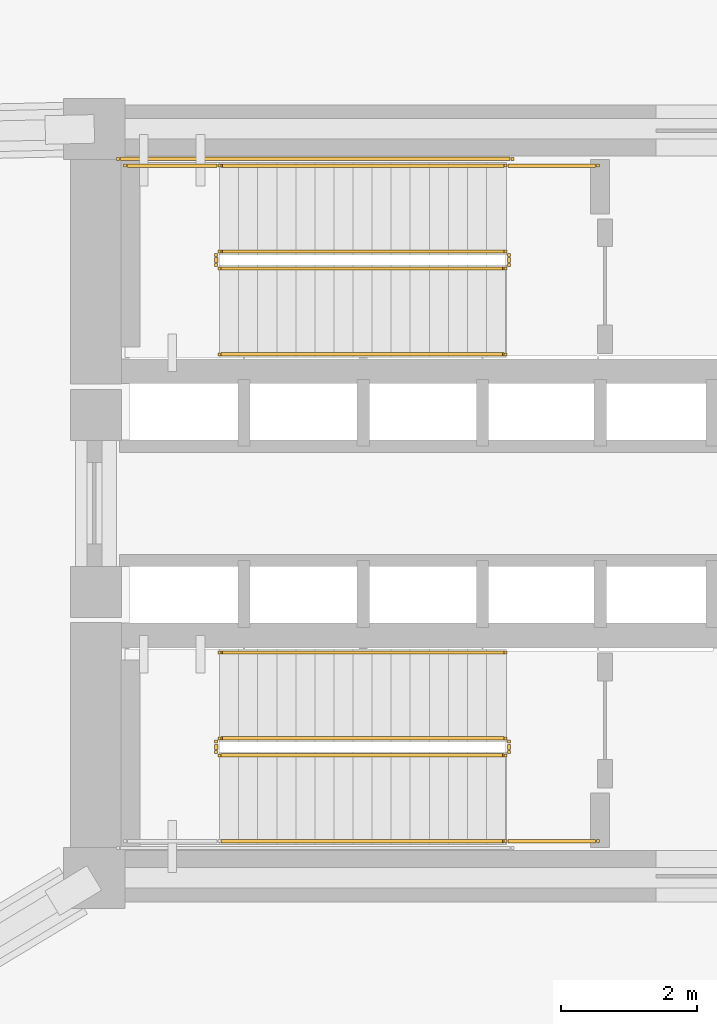
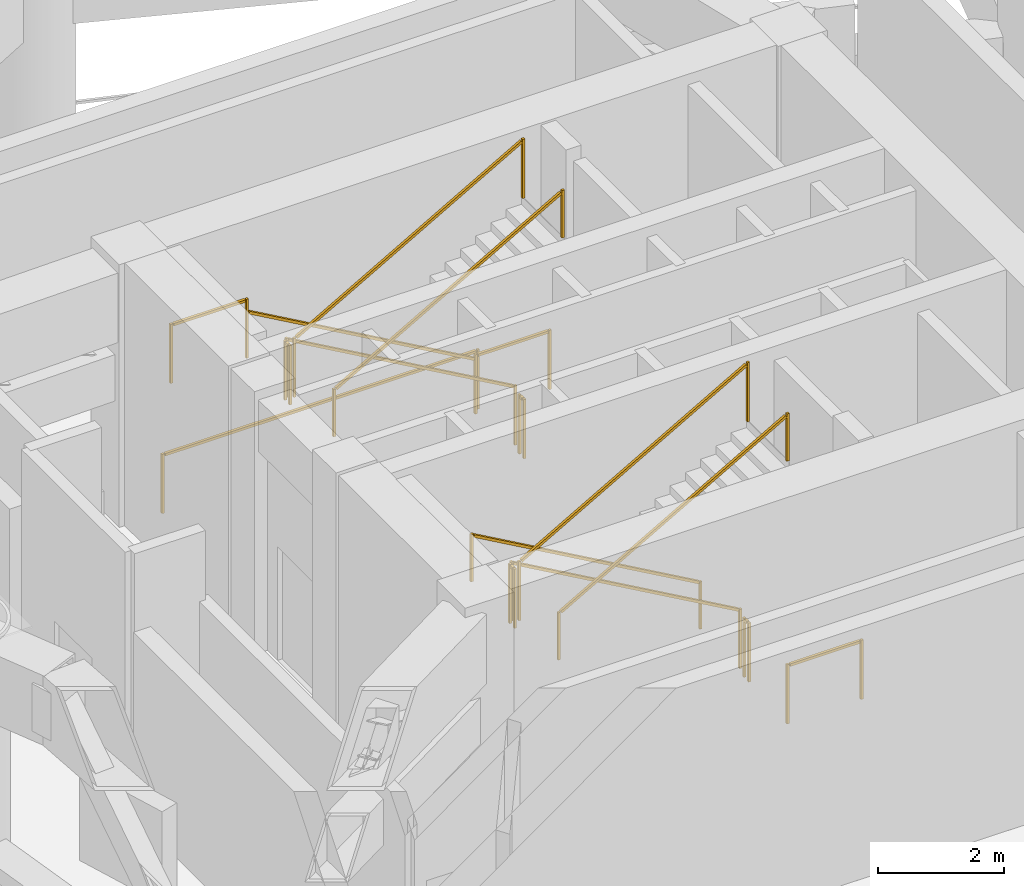
# One storey, part 7 of 8: 16 railings.
"""IFC4 building model written with IfcOpenShell, lengths in metres."""

from ifc_helpers import new_model, si_unit, direction, frame, origin, origin_2d, place, context, subcontext, project, spatial, rectangle, extrude, material, type_object, element, save


model = new_model("IFC4")

# Units and contexts
model_context = context("Model", 3, precision=1e-05, world=origin(), true_north=direction((0.0, 1.0)))
body_context = subcontext(model_context, "Body", "Model", "MODEL_VIEW")
ifc_project = project(units=[si_unit("LENGTHUNIT", "METRE"), si_unit("AREAUNIT", "SQUARE_METRE"), si_unit("VOLUMEUNIT", "CUBIC_METRE"), si_unit("PLANEANGLEUNIT", "RADIAN"), si_unit("MASSUNIT", "GRAM", prefix="KILO")], contexts=[model_context])

# Site, building, storey
site_placement = place(None, origin())
site = spatial("IfcSite", under=ifc_project, at=site_placement, CompositionType="ELEMENT")
building_placement = place(site_placement, origin())
building = spatial("IfcBuilding", under=site, at=building_placement, Name="Yunling Apex Tower", CompositionType="ELEMENT")
storey_placement = place(building_placement, frame((0.0, 0.0, 84.800048828125)))
storey = spatial("IfcBuildingStorey", under=building, at=storey_placement, Name="RF2", CompositionType="ELEMENT", Elevation=84.800048828125)

# Railings
ifc_material_1 = material(Name="Steel Q355B", Category="steel")
railing_type_1 = type_object("IfcRailingType", Name="RL-GRD-1150", PredefinedType="GUARDRAIL", material=ifc_material_1)
railing_1_placement = place(storey_placement, frame((-0.010009765625, 3.699951171875, 0.159423828125)))
element("IfcRailing", 1, at=railing_1_placement, inside=storey, type_object=railing_type_1, Name="RF2 ST-1 stair guard 1", PredefinedType="GUARDRAIL", context=body_context, shape_type="SweptSolid", body=[
    extrude(rectangle(XDim=0.0439453125, YDim=0.0439453125, at=origin_2d()), origin(), (0.0, 0.0, 1.0), 1.14990234375),
    extrude(rectangle(XDim=0.0439453125, YDim=0.0439453125, at=origin_2d()), frame((-4.199951171875, 0.0, 2.390625)), (0.0, 0.0, 1.0), 1.14990234375),
    extrude(rectangle(XDim=0.050048828125, YDim=0.050048828125, at=origin_2d()), frame((-0.033203125, 0.0, 1.143798828125), z_axis=(-0.869075089623, 0.0, 0.494680188199), x_axis=(0.0, -1.0, 0.0)), (0.0, 0.0, 1.0), 4.756103515625),
])
railing_2_placement = place(storey_placement, frame((-4.260009765625, 3.64990234375, 2.550048828125)))
element("IfcRailing", 2, at=railing_2_placement, inside=storey, type_object=railing_type_1, Name="RF2 ST-1 stair guard 2", PredefinedType="GUARDRAIL", context=body_context, shape_type="SweptSolid", body=[
    extrude(rectangle(XDim=0.0439453125, YDim=0.0439453125, at=origin_2d()), origin(), (0.0, 0.0, 1.0), 1.14990234375),
    extrude(rectangle(XDim=0.0439453125, YDim=0.0439453125, at=origin_2d()), frame((0.0, -0.14990234375, 0.0)), (0.0, 0.0, 1.0), 1.14990234375),
    extrude(rectangle(XDim=0.050048828125, YDim=0.050048828125, at=origin_2d()), frame((0.0, -0.038330078125, 1.125), z_axis=(0.0, -1.0, 0.0), x_axis=(1.0, 0.0, 0.0)), (0.0, 0.0, 1.0), 0.0732421875),
])
railing_3_placement = place(storey_placement, frame((-4.2099609375, 4.9599609375, 2.550048828125)))
element("IfcRailing", 3, at=railing_3_placement, inside=storey, type_object=railing_type_1, Name="RF2 ST-1 stair guard 3", PredefinedType="GUARDRAIL", context=body_context, shape_type="SweptSolid", body=[
    extrude(rectangle(XDim=0.0439453125, YDim=0.0439453125, at=origin_2d()), origin(), (0.0, 0.0, 1.0), 1.14990234375),
    extrude(rectangle(XDim=0.0439453125, YDim=0.0439453125, at=origin_2d()), frame((-1.39013671875, 0.0, 0.0)), (0.0, 0.0, 1.0), 1.14990234375),
    extrude(rectangle(XDim=0.050048828125, YDim=0.050048828125, at=origin_2d()), frame((-0.038330078125, 0.0, 1.125), z_axis=(-1.0, 0.0, 0.0), x_axis=(0.0, -1.0, 0.0)), (0.0, 0.0, 1.0), 1.3134765625),
])
railing_4_placement = place(storey_placement, frame((-4.2099609375, 3.449951171875, 2.709228515625)))
element("IfcRailing", 4, at=railing_4_placement, inside=storey, type_object=railing_type_1, Name="RF2 ST-1 stair guard 4", PredefinedType="GUARDRAIL", context=body_context, shape_type="SweptSolid", body=[
    extrude(rectangle(XDim=0.0439453125, YDim=0.0439453125, at=origin_2d()), origin(), (0.0, 0.0, 1.0), 1.14990234375),
    extrude(rectangle(XDim=0.0439453125, YDim=0.0439453125, at=origin_2d()), frame((4.199951171875, 0.0, 2.390625)), (0.0, 0.0, 1.0), 1.14990234375),
    extrude(rectangle(XDim=0.050048828125, YDim=0.050048828125, at=origin_2d()), frame((0.033203125, 0.0, 1.143798828125), z_axis=(0.869075089623, 0.0, 0.494680188199), x_axis=(0.0, 1.0, 0.0)), (0.0, 0.0, 1.0), 4.756103515625),
])
railing_5_placement = place(storey_placement, frame((0.0400390625, 3.64990234375, 0.0)))
element("IfcRailing", 5, at=railing_5_placement, inside=storey, type_object=railing_type_1, Name="RF2 ST-1 stair guard 5", PredefinedType="GUARDRAIL", context=body_context, shape_type="SweptSolid", body=[
    extrude(rectangle(XDim=0.0439453125, YDim=0.0439453125, at=origin_2d()), origin(), (0.0, 0.0, 1.0), 1.14990234375),
    extrude(rectangle(XDim=0.0439453125, YDim=0.0439453125, at=origin_2d()), frame((0.0, -0.14990234375, 0.0)), (0.0, 0.0, 1.0), 1.14990234375),
    extrude(rectangle(XDim=0.050048828125, YDim=0.050048828125, at=origin_2d()), frame((0.0, -0.038330078125, 1.125), z_axis=(0.0, -1.0, 0.0), x_axis=(1.0, 0.0, 0.0)), (0.0, 0.0, 1.0), 0.0732421875),
])
railing_6_placement = place(storey_placement, frame((1.35009765625, 4.9599609375, 0.0)))
element("IfcRailing", 6, at=railing_6_placement, inside=storey, type_object=railing_type_1, Name="RF2 ST-1 stair guard 6", PredefinedType="GUARDRAIL", context=body_context, shape_type="SweptSolid", body=[
    extrude(rectangle(XDim=0.0439453125, YDim=0.0439453125, at=origin_2d()), origin(), (0.0, 0.0, 1.0), 1.14990234375),
    extrude(rectangle(XDim=0.0439453125, YDim=0.0439453125, at=origin_2d()), frame((-1.360107421875, 0.0, 0.0)), (0.0, 0.0, 1.0), 1.14990234375),
    extrude(rectangle(XDim=0.050048828125, YDim=0.050048828125, at=origin_2d()), frame((-0.038330078125, 0.0, 1.125), z_axis=(-1.0, 0.0, 0.0), x_axis=(0.0, -1.0, 0.0)), (0.0, 0.0, 1.0), 1.283447265625),
])
railing_7_placement = place(storey_placement, frame((0.090087890625, 5.06005859375, 0.0)))
element("IfcRailing", 7, at=railing_7_placement, inside=storey, type_object=railing_type_1, Name="RF2 ST-1 stair guard 7", PredefinedType="GUARDRAIL", context=body_context, shape_type="SweptSolid", body=[
    extrude(rectangle(XDim=0.0439453125, YDim=0.0439453125, at=origin_2d()), origin(), (0.0, 0.0, 1.0), 1.14990234375),
    extrude(rectangle(XDim=0.0439453125, YDim=0.0439453125, at=origin_2d()), frame((-5.7900390625, 0.0, 0.0)), (0.0, 0.0, 1.0), 1.14990234375),
    extrude(rectangle(XDim=0.050048828125, YDim=0.050048828125, at=origin_2d()), frame((-0.038330078125, 0.0, 1.125), z_axis=(-1.0, 0.0, 0.0), x_axis=(0.0, -1.0, 0.0)), (0.0, 0.0, 1.0), 5.71337890625),
])
railing_8_placement = place(storey_placement, frame((-0.010009765625, -3.449951171875, 0.159423828125)))
element("IfcRailing", 8, at=railing_8_placement, inside=storey, type_object=railing_type_1, Name="RF2 ST-2 stair guard 1", PredefinedType="GUARDRAIL", context=body_context, shape_type="SweptSolid", body=[
    extrude(rectangle(XDim=0.0439453125, YDim=0.0439453125, at=origin_2d()), origin(), (0.0, 0.0, 1.0), 1.14990234375),
    extrude(rectangle(XDim=0.0439453125, YDim=0.0439453125, at=origin_2d()), frame((-4.199951171875, 0.0, 2.390625)), (0.0, 0.0, 1.0), 1.14990234375),
    extrude(rectangle(XDim=0.050048828125, YDim=0.050048828125, at=origin_2d()), frame((-0.033203125, 0.0, 1.143798828125), z_axis=(-0.869075089623, 0.0, 0.494680188199), x_axis=(0.0, -1.0, 0.0)), (0.0, 0.0, 1.0), 4.756103515625),
])
railing_9_placement = place(storey_placement, frame((-4.260009765625, -3.5, 2.550048828125)))
element("IfcRailing", 9, at=railing_9_placement, inside=storey, type_object=railing_type_1, Name="RF2 ST-2 stair guard 2", PredefinedType="GUARDRAIL", context=body_context, shape_type="SweptSolid", body=[
    extrude(rectangle(XDim=0.0439453125, YDim=0.0439453125, at=origin_2d()), origin(), (0.0, 0.0, 1.0), 1.14990234375),
    extrude(rectangle(XDim=0.0439453125, YDim=0.0439453125, at=origin_2d()), frame((0.0, -0.14990234375, 0.0)), (0.0, 0.0, 1.0), 1.14990234375),
    extrude(rectangle(XDim=0.050048828125, YDim=0.050048828125, at=origin_2d()), frame((0.0, -0.038330078125, 1.125), z_axis=(0.0, -1.0, 0.0), x_axis=(1.0, 0.0, 0.0)), (0.0, 0.0, 1.0), 0.0732421875),
])
railing_10_placement = place(storey_placement, frame((-4.2099609375, -3.699951171875, 2.709228515625)))
element("IfcRailing", 10, at=railing_10_placement, inside=storey, type_object=railing_type_1, Name="RF2 ST-2 stair guard 4", PredefinedType="GUARDRAIL", context=body_context, shape_type="SweptSolid", body=[
    extrude(rectangle(XDim=0.0439453125, YDim=0.0439453125, at=origin_2d()), origin(), (0.0, 0.0, 1.0), 1.14990234375),
    extrude(rectangle(XDim=0.0439453125, YDim=0.0439453125, at=origin_2d()), frame((4.199951171875, 0.0, 2.390625)), (0.0, 0.0, 1.0), 1.14990234375),
    extrude(rectangle(XDim=0.050048828125, YDim=0.050048828125, at=origin_2d()), frame((0.033203125, 0.0, 1.143798828125), z_axis=(0.869075089623, 0.0, 0.494680188199), x_axis=(0.0, 1.0, 0.0)), (0.0, 0.0, 1.0), 4.756103515625),
])
railing_11_placement = place(storey_placement, frame((0.0400390625, -3.5, 0.0)))
element("IfcRailing", 11, at=railing_11_placement, inside=storey, type_object=railing_type_1, Name="RF2 ST-2 stair guard 5", PredefinedType="GUARDRAIL", context=body_context, shape_type="SweptSolid", body=[
    extrude(rectangle(XDim=0.0439453125, YDim=0.0439453125, at=origin_2d()), origin(), (0.0, 0.0, 1.0), 1.14990234375),
    extrude(rectangle(XDim=0.0439453125, YDim=0.0439453125, at=origin_2d()), frame((0.0, -0.14990234375, 0.0)), (0.0, 0.0, 1.0), 1.14990234375),
    extrude(rectangle(XDim=0.050048828125, YDim=0.050048828125, at=origin_2d()), frame((0.0, -0.038330078125, 1.125), z_axis=(0.0, -1.0, 0.0), x_axis=(1.0, 0.0, 0.0)), (0.0, 0.0, 1.0), 0.0732421875),
])
railing_12_placement = place(storey_placement, frame((1.35009765625, -4.9599609375, 0.0)))
element("IfcRailing", 12, at=railing_12_placement, inside=storey, type_object=railing_type_1, Name="RF2 ST-2 stair guard 6", PredefinedType="GUARDRAIL", context=body_context, shape_type="SweptSolid", body=[
    extrude(rectangle(XDim=0.0439453125, YDim=0.0439453125, at=origin_2d()), origin(), (0.0, 0.0, 1.0), 1.14990234375),
    extrude(rectangle(XDim=0.0439453125, YDim=0.0439453125, at=origin_2d()), frame((-1.360107421875, 0.0, 0.0)), (0.0, 0.0, 1.0), 1.14990234375),
    extrude(rectangle(XDim=0.050048828125, YDim=0.050048828125, at=origin_2d()), frame((-0.038330078125, 0.0, 1.125), z_axis=(-1.0, 0.0, 0.0), x_axis=(0.0, -1.0, 0.0)), (0.0, 0.0, 1.0), 1.283447265625),
])
ifc_material_2 = material(Name="Silver anodised aluminium", Category="aluminium")
railing_type_2 = type_object("IfcRailingType", Name="RL-HND-900", PredefinedType="HANDRAIL", material=ifc_material_2)
railing_13_placement = place(storey_placement, frame((-0.010009765625, 4.9599609375, 0.159423828125)))
element("IfcRailing", 13, at=railing_13_placement, inside=storey, type_object=railing_type_2, Name="RF2 ST-1 stair handrail 1", PredefinedType="HANDRAIL", context=body_context, shape_type="SweptSolid", body=[
    extrude(rectangle(XDim=0.0439453125, YDim=0.0439453125, at=origin_2d()), origin(), (0.0, 0.0, 1.0), 0.919921875),
    extrude(rectangle(XDim=0.0439453125, YDim=0.0439453125, at=origin_2d()), frame((-4.199951171875, 0.0, 2.390625)), (0.0, 0.0, 1.0), 0.919921875),
    extrude(rectangle(XDim=0.050048828125, YDim=0.050048828125, at=origin_2d()), frame((-0.033203125, 0.0, 0.913818359375), z_axis=(-0.869075089623, 0.0, 0.494680188199), x_axis=(0.0, -1.0, 0.0)), (0.0, 0.0, 1.0), 4.756103515625),
])
railing_14_placement = place(storey_placement, frame((-4.2099609375, 2.18994140625, 2.709228515625)))
element("IfcRailing", 14, at=railing_14_placement, inside=storey, type_object=railing_type_2, Name="RF2 ST-1 stair handrail 2", PredefinedType="HANDRAIL", context=body_context, shape_type="SweptSolid", body=[
    extrude(rectangle(XDim=0.0439453125, YDim=0.0439453125, at=origin_2d()), origin(), (0.0, 0.0, 1.0), 0.919921875),
    extrude(rectangle(XDim=0.0439453125, YDim=0.0439453125, at=origin_2d()), frame((4.199951171875, 0.0, 2.390625)), (0.0, 0.0, 1.0), 0.919921875),
    extrude(rectangle(XDim=0.050048828125, YDim=0.050048828125, at=origin_2d()), frame((0.033203125, 0.0, 0.913818359375), z_axis=(0.869075089623, 0.0, 0.494680188199), x_axis=(0.0, 1.0, 0.0)), (0.0, 0.0, 1.0), 4.756103515625),
])
railing_15_placement = place(storey_placement, frame((-0.010009765625, -2.18994140625, 0.159423828125)))
element("IfcRailing", 15, at=railing_15_placement, inside=storey, type_object=railing_type_2, Name="RF2 ST-2 stair handrail 1", PredefinedType="HANDRAIL", context=body_context, shape_type="SweptSolid", body=[
    extrude(rectangle(XDim=0.0439453125, YDim=0.0439453125, at=origin_2d()), origin(), (0.0, 0.0, 1.0), 0.919921875),
    extrude(rectangle(XDim=0.0439453125, YDim=0.0439453125, at=origin_2d()), frame((-4.199951171875, 0.0, 2.390625)), (0.0, 0.0, 1.0), 0.919921875),
    extrude(rectangle(XDim=0.050048828125, YDim=0.050048828125, at=origin_2d()), frame((-0.033203125, 0.0, 0.913818359375), z_axis=(-0.869075089623, 0.0, 0.494680188199), x_axis=(0.0, -1.0, 0.0)), (0.0, 0.0, 1.0), 4.756103515625),
])
railing_16_placement = place(storey_placement, frame((-4.2099609375, -4.9599609375, 2.709228515625)))
element("IfcRailing", 16, at=railing_16_placement, inside=storey, type_object=railing_type_2, Name="RF2 ST-2 stair handrail 2", PredefinedType="HANDRAIL", context=body_context, shape_type="SweptSolid", body=[
    extrude(rectangle(XDim=0.0439453125, YDim=0.0439453125, at=origin_2d()), origin(), (0.0, 0.0, 1.0), 0.919921875),
    extrude(rectangle(XDim=0.0439453125, YDim=0.0439453125, at=origin_2d()), frame((4.199951171875, 0.0, 2.390625)), (0.0, 0.0, 1.0), 0.919921875),
    extrude(rectangle(XDim=0.050048828125, YDim=0.050048828125, at=origin_2d()), frame((0.033203125, 0.0, 0.913818359375), z_axis=(0.869075089623, 0.0, 0.494680188199), x_axis=(0.0, 1.0, 0.0)), (0.0, 0.0, 1.0), 4.756103515625),
])

save(model, "model.ifc")
